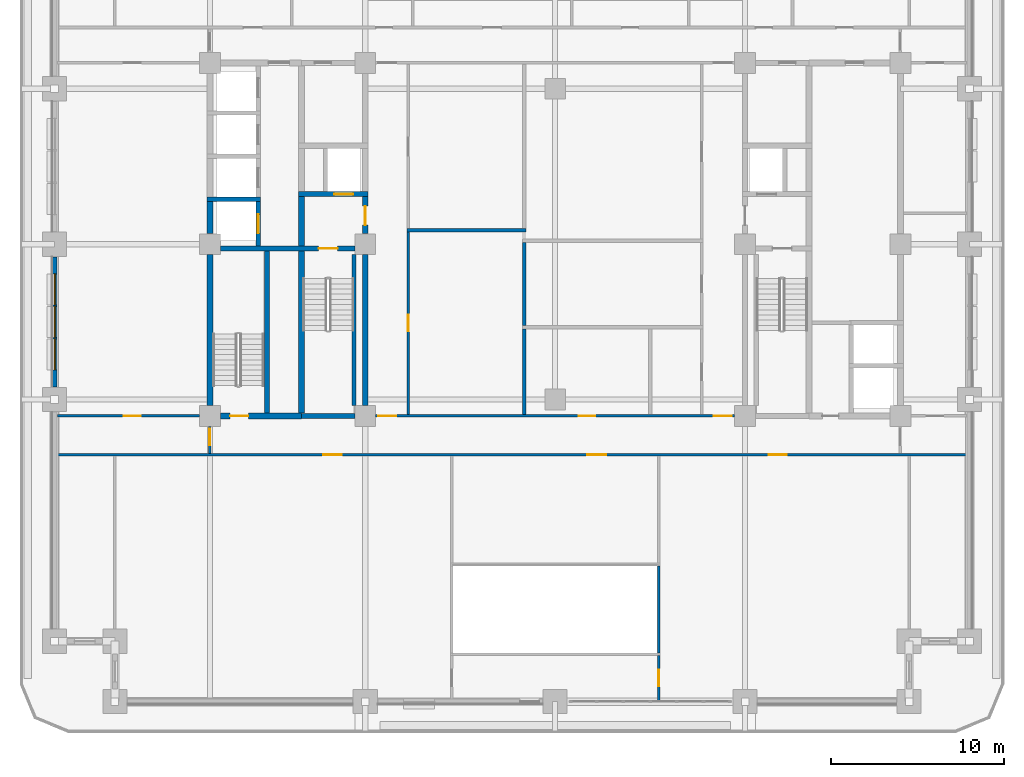
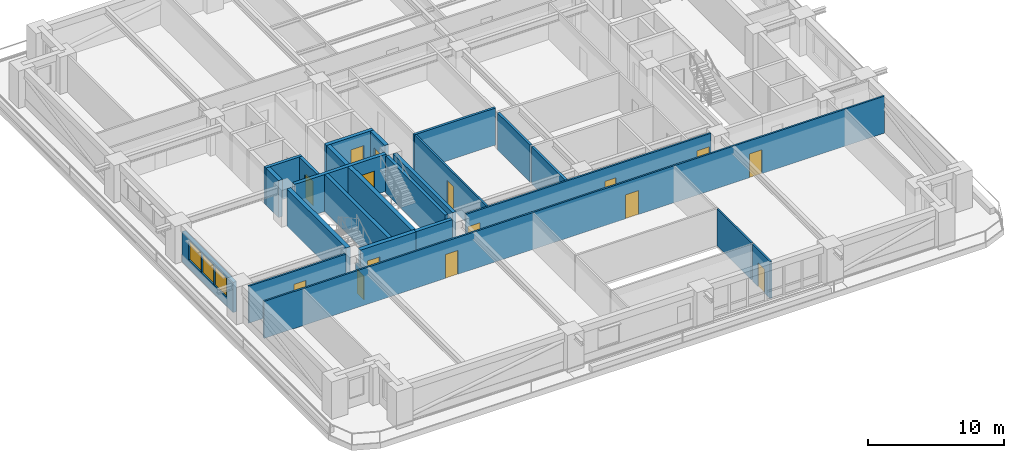
# One storey, part 8 of 20: 25 walls, 15 doors, 3 windows, 18 openings.
"""IFC4 building model written with IfcOpenShell, lengths in metres."""

from ifc_helpers import new_model, si_unit, direction, frame, frame_2d, origin, place, context, subcontext, project, spatial, rectangle, extrude, material, layer, layer_set, type_object, element, fill, save


model = new_model("IFC4")

# Units and contexts
model_context = context("Model", 3, precision=1e-05, world=origin(), true_north=direction((0.0, 1.0)))
body_context = subcontext(model_context, "Body", "Model", "MODEL_VIEW")
ifc_project = project(units=[si_unit("LENGTHUNIT", "METRE"), si_unit("AREAUNIT", "SQUARE_METRE"), si_unit("VOLUMEUNIT", "CUBIC_METRE"), si_unit("PLANEANGLEUNIT", "RADIAN"), si_unit("MASSUNIT", "GRAM", prefix="KILO")], contexts=[model_context])

# Site, building, storey
site_placement = place(None, origin())
site = spatial("IfcSite", under=ifc_project, at=site_placement, CompositionType="ELEMENT")
building_placement = place(site_placement, origin())
building = spatial("IfcBuilding", under=site, at=building_placement, Name="Zulmaris Gate Convention Tower", CompositionType="ELEMENT")
storey_placement = place(building_placement, frame((0.0, 0.0, 75.0400390625)))
storey = spatial("IfcBuildingStorey", under=building, at=storey_placement, Name="L18", CompositionType="ELEMENT", Elevation=75.0400390625)

# Wall
ifc_material_1 = material(Name="Concrete C50/60", Category="concrete")
ifc_layer_1 = layer(ifc_material_1, 0.25, Name="Concrete C50/60")
ifc_layer_set_1 = layer_set([ifc_layer_1], Name="Concrete C50/60")
wall_type_1 = type_object("IfcWallType", Name="CORE-250", PredefinedType="SOLIDWALL", material=ifc_layer_set_1)
wall_1_placement = place(storey_placement, frame((-20.175048828125, 2.60009765625, 0.0), z_axis=(0.0, 0.0, 1.0), x_axis=(1.0, 0.0, 0.0)))
element("IfcWall", 1, at=wall_1_placement, inside=storey, type_object=wall_type_1, Name="WL-L18-009", PredefinedType="SOLIDWALL", context=body_context, shape_type="SweptSolid", body=[
    extrude(rectangle(XDim=3.10009765625, YDim=0.25, at=frame_2d((1.550048828125, 0.0))), origin(), (0.0, 0.0, 1.0), 3.31982421875),
])

# Wall, opening, door
wall_2_placement = place(storey_placement, frame((-17.199951171875, -0.097900390625, 0.0), z_axis=(0.0, 0.0, 1.0), x_axis=(0.0, 1.0, 0.0)))
wall_2 = element("IfcWall", 2, at=wall_2_placement, inside=storey, type_object=wall_type_1, Name="WL-L18-040", PredefinedType="SOLIDWALL", context=body_context, shape_type="SweptSolid", body=[
    extrude(rectangle(XDim=2.57080078125, YDim=0.25, at=frame_2d((1.285400390625, 0.0))), origin(), (0.0, 0.0, 1.0), 3.31982421875),
])
opening_1_placement = place(wall_2_placement, frame((0.722900390625, 0.0, 0.0)))
opening_1 = element("IfcOpeningElement", 3, at=opening_1_placement, cuts=wall_2, Name="Opening D-06", PredefinedType="OPENING", context=body_context, shape_type="SweptSolid", body=[
    extrude(rectangle(XDim=1.10009765625, YDim=2.199951171875, at=frame_2d((0.550048828125, 1.10009765625))), frame((0.0, 0.135009765625, 0.0), z_axis=(0.0, -1.0, 0.0), x_axis=(1.0, 0.0, 0.0)), (0.0, 0.0, 1.0), 0.27001953125),
])
ifc_material_2 = material(Name="Brushed Stainless Steel", Category="steel")
door_type_1 = type_object("IfcDoorType", Name="LD-1100", OperationType="NOTDEFINED", PredefinedType="DOOR", material=ifc_material_2)
door_1_placement = place(opening_1_placement, origin())
door_1 = element("IfcDoor", 4, at=door_1_placement, inside=storey, type_object=door_type_1, Name="L18 Lift Landing Door LP-01 11", OperationType="SLIDING_TO_LEFT", OverallHeight=2.199951171875, OverallWidth=1.10009765625, PredefinedType="DOOR", context=body_context, shape_type="SweptSolid", body=[
    extrude(rectangle(XDim=1.10009765625, YDim=2.199951171875, at=frame_2d((0.550048828125, 1.10009765625))), frame((0.0, 0.02490234375, 0.0), z_axis=(0.0, -1.0, 0.0), x_axis=(1.0, 0.0, 0.0)), (0.0, 0.0, 1.0), 0.050048828125),
])
fill(opening_1, door_1)

# Walls
wall_3_placement = place(storey_placement, frame((-11.64990234375, -9.345947265625, 0.0), z_axis=(0.0, 0.0, 1.0), x_axis=(0.0, 1.0, 0.0)))
element("IfcWall", 5, at=wall_3_placement, inside=storey, type_object=wall_type_1, Name="WL-L18-050", PredefinedType="SOLIDWALL", context=body_context, shape_type="SweptSolid", body=[
    extrude(rectangle(XDim=8.741943359375, YDim=0.25, at=frame_2d((4.37109375, 0.0))), origin(), (0.0, 0.0, 1.0), 3.31982421875),
])
ifc_layer_2 = layer(ifc_material_1, 0.300048828125, Name="Concrete C50/60")
ifc_layer_set_2 = layer_set([ifc_layer_2], Name="Concrete C50/60")
wall_type_2 = type_object("IfcWallType", Name="CORE-300", PredefinedType="SHEAR", material=ifc_layer_set_2)
wall_4_placement = place(storey_placement, frame((-14.699951171875, -9.949951171875, 0.0), z_axis=(0.0, 0.0, 1.0), x_axis=(1.0, 0.0, 0.0)))
element("IfcWall", 6, at=wall_4_placement, inside=storey, type_object=wall_type_2, Name="WL-L18-002", PredefinedType="SHEAR", context=body_context, shape_type="SweptSolid", body=[
    extrude(rectangle(XDim=3.095947265625, YDim=0.300048828125, at=frame_2d((1.5478515625, 0.0))), origin(), (0.0, 0.0, 1.0), 3.31982421875),
])

# Wall, opening, door
wall_5_placement = place(storey_placement, frame((-19.39599609375, -0.25, 0.0), z_axis=(0.0, 0.0, 1.0), x_axis=(1.0, 0.0, 0.0)))
wall_5 = element("IfcWall", 7, at=wall_5_placement, inside=storey, type_object=wall_type_2, Name="WL-L18-007", PredefinedType="SHEAR", context=body_context, shape_type="SweptSolid", body=[
    extrude(rectangle(XDim=7.7919921875, YDim=0.300048828125, at=frame_2d((3.89599609375, 0.0))), origin(), (0.0, 0.0, 1.0), 3.31982421875),
])
opening_2_placement = place(wall_5_placement, frame((5.696044921875, 0.0, 0.0)))
opening_2 = element("IfcOpeningElement", 8, at=opening_2_placement, cuts=wall_5, Name="Opening D-08", PredefinedType="OPENING", context=body_context, shape_type="SweptSolid", body=[
    extrude(rectangle(XDim=1.10009765625, YDim=2.14990234375, at=frame_2d((0.550048828125, 1.074951171875))), frame((0.0, 0.16015625, 0.0), z_axis=(0.0, -1.0, 0.0), x_axis=(1.0, 0.0, 0.0)), (0.0, 0.0, 1.0), 0.320068359375),
])
ifc_material_3 = material(Name="Fire-Rated Steel", Category="steel")
door_type_2 = type_object("IfcDoorType", Name="DR-1100-FD", OperationType="NOTDEFINED", PredefinedType="DOOR", material=ifc_material_3)
door_2_placement = place(opening_2_placement, origin())
door_2 = element("IfcDoor", 9, at=door_2_placement, inside=storey, type_object=door_type_2, Name="L18 Exit Stair ST-1 Door 01", OperationType="SINGLE_SWING_LEFT", OverallHeight=2.14990234375, OverallWidth=1.10009765625, PredefinedType="DOOR", context=body_context, shape_type="SweptSolid", body=[
    extrude(rectangle(XDim=1.10009765625, YDim=2.14990234375, at=frame_2d((0.550048828125, 1.074951171875))), frame((0.0, 0.02490234375, 0.0), z_axis=(0.0, -1.0, 0.0), x_axis=(1.0, 0.0, 0.0)), (0.0, 0.0, 1.0), 0.050048828125),
])
fill(opening_2, door_2)

wall_6_placement = place(storey_placement, frame((-14.875, 2.89990234375, 0.0), z_axis=(0.0, 0.0, 1.0), x_axis=(1.0, 0.0, 0.0)))
wall_6 = element("IfcWall", 10, at=wall_6_placement, inside=storey, type_object=wall_type_2, Name="WL-L18-010", PredefinedType="SHEAR", context=body_context, shape_type="SweptSolid", body=[
    extrude(rectangle(XDim=4.02490234375, YDim=0.300048828125, at=frame_2d((2.012451171875, 0.0))), origin(), (0.0, 0.0, 1.0), 3.31982421875),
])
opening_3_placement = place(wall_6_placement, frame((2.074951171875, 0.0, 0.0)))
opening_3 = element("IfcOpeningElement", 11, at=opening_3_placement, cuts=wall_6, Name="Opening D-06", PredefinedType="OPENING", context=body_context, shape_type="SweptSolid", body=[
    extrude(rectangle(XDim=1.10009765625, YDim=2.199951171875, at=frame_2d((0.550048828125, 1.10009765625))), frame((0.0, 0.16015625, 0.0), z_axis=(0.0, -1.0, 0.0), x_axis=(1.0, 0.0, 0.0)), (0.0, 0.0, 1.0), 0.320068359375),
])
door_3_placement = place(opening_3_placement, origin())
door_3 = element("IfcDoor", 12, at=door_3_placement, inside=storey, type_object=door_type_1, Name="L18 Lift Landing Door LF-01 03", OperationType="SLIDING_TO_LEFT", OverallHeight=2.199951171875, OverallWidth=1.10009765625, PredefinedType="DOOR", context=body_context, shape_type="SweptSolid", body=[
    extrude(rectangle(XDim=1.10009765625, YDim=2.199951171875, at=frame_2d((0.550048828125, 1.10009765625))), frame((0.0, 0.02490234375, 0.0), z_axis=(0.0, -1.0, 0.0), x_axis=(1.0, 0.0, 0.0)), (0.0, 0.0, 1.0), 0.050048828125),
])
fill(opening_3, door_3)

# Walls
wall_7_placement = place(storey_placement, frame((-16.699951171875, -9.77294921875, 0.0), z_axis=(0.0, 0.0, 1.0), x_axis=(0.0, 1.0, 0.0)))
element("IfcWall", 13, at=wall_7_placement, inside=storey, type_object=wall_type_2, Name="WL-L18-044", PredefinedType="SHEAR", context=body_context, shape_type="SweptSolid", body=[
    extrude(rectangle(XDim=9.370849609375, YDim=0.300048828125, at=frame_2d((4.685546875, 0.0))), origin(), (0.0, 0.0, 1.0), 3.31982421875),
])
wall_8_placement = place(storey_placement, frame((-11.0, -9.345947265625, 0.0), z_axis=(0.0, 0.0, 1.0), x_axis=(0.0, 1.0, 0.0)))
element("IfcWall", 14, at=wall_8_placement, inside=storey, type_object=wall_type_2, Name="WL-L18-051", PredefinedType="SHEAR", context=body_context, shape_type="SweptSolid", body=[
    extrude(rectangle(XDim=8.741943359375, YDim=0.300048828125, at=frame_2d((4.37109375, 0.0))), origin(), (0.0, 0.0, 1.0), 3.31982421875),
])

# Wall, opening, door
wall_9_placement = place(storey_placement, frame((-11.0, 0.60400390625, 0.0), z_axis=(0.0, 0.0, 1.0), x_axis=(0.0, 1.0, 0.0)))
wall_9 = element("IfcWall", 15, at=wall_9_placement, inside=storey, type_object=wall_type_2, Name="WL-L18-052", PredefinedType="SHEAR", context=body_context, shape_type="SweptSolid", body=[
    extrude(rectangle(XDim=2.14404296875, YDim=0.300048828125, at=frame_2d((1.072021484375, 0.0))), origin(), (0.0, 0.0, 1.0), 3.31982421875),
])
opening_4_placement = place(wall_9_placement, frame((0.49609375, 0.0, 0.0)))
opening_4 = element("IfcOpeningElement", 16, at=opening_4_placement, cuts=wall_9, Name="Opening D-08", PredefinedType="OPENING", context=body_context, shape_type="SweptSolid", body=[
    extrude(rectangle(XDim=1.10009765625, YDim=2.14990234375, at=frame_2d((0.550048828125, 1.074951171875))), frame((0.0, 0.16015625, 0.0), z_axis=(0.0, -1.0, 0.0), x_axis=(1.0, 0.0, 0.0)), (0.0, 0.0, 1.0), 0.320068359375),
])
door_4_placement = place(opening_4_placement, origin())
door_4 = element("IfcDoor", 17, at=door_4_placement, inside=storey, type_object=door_type_2, Name="L18 West Firefighting Lobby Door 02", OperationType="SINGLE_SWING_RIGHT", OverallHeight=2.14990234375, OverallWidth=1.10009765625, PredefinedType="DOOR", context=body_context, shape_type="SweptSolid", body=[
    extrude(rectangle(XDim=1.10009765625, YDim=2.14990234375, at=frame_2d((0.550048828125, 1.074951171875))), frame((0.0, 0.02490234375, 0.0), z_axis=(0.0, -1.0, 0.0), x_axis=(1.0, 0.0, 0.0)), (0.0, 0.0, 1.0), 0.050048828125),
])
fill(opening_4, door_4)

ifc_material_4 = material(Name="Concrete C55/67", Category="concrete")
ifc_layer_3 = layer(ifc_material_4, 0.35009765625, Name="Concrete C55/67")
ifc_layer_set_3 = layer_set([ifc_layer_3], Name="Concrete C55/67")
wall_type_3 = type_object("IfcWallType", Name="CORE-350", PredefinedType="SHEAR", material=ifc_layer_set_3)
wall_10_placement = place(storey_placement, frame((-19.39599609375, -9.949951171875, 0.0), z_axis=(0.0, 0.0, 1.0), x_axis=(1.0, 0.0, 0.0)))
wall_10 = element("IfcWall", 18, at=wall_10_placement, inside=storey, type_object=wall_type_3, Name="WL-L18-001", PredefinedType="SHEAR", context=body_context, shape_type="SweptSolid", body=[
    extrude(rectangle(XDim=4.696044921875, YDim=0.35009765625, at=frame_2d((2.34814453125, 0.0))), origin(), (0.0, 0.0, 1.0), 3.31982421875),
])
opening_5_placement = place(wall_10_placement, frame((0.571044921875, 0.0, 0.0)))
opening_5 = element("IfcOpeningElement", 19, at=opening_5_placement, cuts=wall_10, Name="Opening D-09", PredefinedType="OPENING", context=body_context, shape_type="SweptSolid", body=[
    extrude(rectangle(XDim=1.050048828125, YDim=2.14990234375, at=frame_2d((0.52490234375, 1.074951171875))), frame((0.0, 0.18505859375, 0.0), z_axis=(0.0, -1.0, 0.0), x_axis=(1.0, 0.0, 0.0)), (0.0, 0.0, 1.0), 0.3701171875),
])
door_type_3 = type_object("IfcDoorType", Name="DR-1050-FD", OperationType="NOTDEFINED", PredefinedType="DOOR", material=ifc_material_3)
door_5_placement = place(opening_5_placement, origin())
door_5 = element("IfcDoor", 20, at=door_5_placement, inside=storey, type_object=door_type_3, Name="L18 Exit Stair ST-3 Door 09", OperationType="SINGLE_SWING_LEFT", OverallHeight=2.14990234375, OverallWidth=1.050048828125, PredefinedType="DOOR", context=body_context, shape_type="SweptSolid", body=[
    extrude(rectangle(XDim=1.050048828125, YDim=2.14990234375, at=frame_2d((0.52490234375, 1.074951171875))), frame((0.0, 0.02490234375, 0.0), z_axis=(0.0, -1.0, 0.0), x_axis=(1.0, 0.0, 0.0)), (0.0, 0.0, 1.0), 0.050048828125),
])
fill(opening_5, door_5)

# Walls
wall_11_placement = place(storey_placement, frame((-20.0, -9.345947265625, 0.0), z_axis=(0.0, 0.0, 1.0), x_axis=(0.0, 1.0, 0.0)))
element("IfcWall", 21, at=wall_11_placement, inside=storey, type_object=wall_type_3, Name="WL-L18-035", PredefinedType="SHEAR", context=body_context, shape_type="SweptSolid", body=[
    extrude(rectangle(XDim=8.741943359375, YDim=0.35009765625, at=frame_2d((4.37109375, 0.0))), origin(), (0.0, 0.0, 1.0), 3.31982421875),
])
wall_12_placement = place(storey_placement, frame((-20.0, 0.60400390625, 0.0), z_axis=(0.0, 0.0, 1.0), x_axis=(0.0, 1.0, 0.0)))
element("IfcWall", 22, at=wall_12_placement, inside=storey, type_object=wall_type_3, Name="WL-L18-036", PredefinedType="SHEAR", context=body_context, shape_type="SweptSolid", body=[
    extrude(rectangle(XDim=1.868896484375, YDim=0.35009765625, at=frame_2d((0.9345703125, 0.0))), origin(), (0.0, 0.0, 1.0), 3.31982421875),
])
wall_13_placement = place(storey_placement, frame((-14.699951171875, -9.77294921875, 0.0), z_axis=(0.0, 0.0, 1.0), x_axis=(0.0, 1.0, 0.0)))
element("IfcWall", 23, at=wall_13_placement, inside=storey, type_object=wall_type_3, Name="WL-L18-045", PredefinedType="SHEAR", context=body_context, shape_type="SweptSolid", body=[
    extrude(rectangle(XDim=9.370849609375, YDim=0.35009765625, at=frame_2d((4.685546875, 0.0))), origin(), (0.0, 0.0, 1.0), 3.31982421875),
])
wall_14_placement = place(storey_placement, frame((-14.699951171875, -0.097900390625, 0.0), z_axis=(0.0, 0.0, 1.0), x_axis=(0.0, 1.0, 0.0)))
element("IfcWall", 24, at=wall_14_placement, inside=storey, type_object=wall_type_3, Name="WL-L18-046", PredefinedType="SHEAR", context=body_context, shape_type="SweptSolid", body=[
    extrude(rectangle(XDim=2.845947265625, YDim=0.35009765625, at=frame_2d((1.4228515625, 0.0))), origin(), (0.0, 0.0, 1.0), 3.31982421875),
])

# Wall, openings, doors
ifc_material_5 = material(Name="Gypsum Metal Stud Partition")
ifc_layer_4 = layer(ifc_material_5, 0.14990234375, Name="Gypsum Metal Stud Partition")
ifc_layer_set_4 = layer_set([ifc_layer_4], Name="Gypsum Metal Stud Partition")
wall_type_4 = type_object("IfcWallType", Name="PART-150", PredefinedType="PARTITIONING", material=ifc_layer_set_4)
wall_15_placement = place(storey_placement, frame((-28.8349609375, -12.199951171875, 0.0), z_axis=(0.0, 0.0, 1.0), x_axis=(1.0, 0.0, 0.0)))
wall_15 = element("IfcWall", 25, at=wall_15_placement, inside=storey, type_object=wall_type_4, Name="WL-L18-022", PredefinedType="PARTITIONING", context=body_context, shape_type="SweptSolid", body=[
    extrude(rectangle(XDim=52.669921875, YDim=0.14990234375, at=frame_2d((26.3349609375, 0.0))), origin(), (0.0, 0.0, 1.0), 3.31982421875),
])
opening_6_placement = place(wall_15_placement, frame((30.68505859375, 0.0, 0.0)))
opening_6 = element("IfcOpeningElement", 26, at=opening_6_placement, cuts=wall_15, Name="Opening D-08", PredefinedType="OPENING", context=body_context, shape_type="SweptSolid", body=[
    extrude(rectangle(XDim=1.10009765625, YDim=2.14990234375, at=frame_2d((0.550048828125, 1.074951171875))), frame((0.0, 0.0849609375, 0.0), z_axis=(0.0, -1.0, 0.0), x_axis=(1.0, 0.0, 0.0)), (0.0, 0.0, 1.0), 0.169921875),
])
opening_7_placement = place(wall_15_placement, frame((15.409912109375, 0.0, 0.0)))
opening_7 = element("IfcOpeningElement", 27, at=opening_7_placement, cuts=wall_15, Name="Opening D-09", PredefinedType="OPENING", context=body_context, shape_type="SweptSolid", body=[
    extrude(rectangle(XDim=1.050048828125, YDim=2.14990234375, at=frame_2d((0.52490234375, 1.074951171875))), frame((0.0, 0.0849609375, 0.0), z_axis=(0.0, -1.0, 0.0), x_axis=(1.0, 0.0, 0.0)), (0.0, 0.0, 1.0), 0.169921875),
])
opening_8_placement = place(wall_15_placement, frame((41.2099609375, 0.0, 0.0)))
opening_8 = element("IfcOpeningElement", 28, at=opening_8_placement, cuts=wall_15, Name="Opening D-09", PredefinedType="OPENING", context=body_context, shape_type="SweptSolid", body=[
    extrude(rectangle(XDim=1.050048828125, YDim=2.14990234375, at=frame_2d((0.52490234375, 1.074951171875))), frame((0.0, 0.0849609375, 0.0), z_axis=(0.0, -1.0, 0.0), x_axis=(1.0, 0.0, 0.0)), (0.0, 0.0, 1.0), 0.169921875),
])
door_6_placement = place(opening_7_placement, origin())
door_6 = element("IfcDoor", 29, at=door_6_placement, inside=storey, type_object=door_type_3, Name="L18 Corner Boardroom SW Door 30", OperationType="SINGLE_SWING_RIGHT", OverallHeight=2.14990234375, OverallWidth=1.050048828125, PredefinedType="DOOR", context=body_context, shape_type="SweptSolid", body=[
    extrude(rectangle(XDim=1.050048828125, YDim=2.14990234375, at=frame_2d((0.52490234375, 1.074951171875))), frame((0.0, 0.02490234375, 0.0), z_axis=(0.0, -1.0, 0.0), x_axis=(1.0, 0.0, 0.0)), (0.0, 0.0, 1.0), 0.050048828125),
])
fill(opening_7, door_6)
door_7_placement = place(opening_8_placement, origin())
door_7 = element("IfcDoor", 30, at=door_7_placement, inside=storey, type_object=door_type_3, Name="L18 Corner Boardroom SE Door 31", OperationType="SINGLE_SWING_LEFT", OverallHeight=2.14990234375, OverallWidth=1.050048828125, PredefinedType="DOOR", context=body_context, shape_type="SweptSolid", body=[
    extrude(rectangle(XDim=1.050048828125, YDim=2.14990234375, at=frame_2d((0.52490234375, 1.074951171875))), frame((0.0, 0.02490234375, 0.0), z_axis=(0.0, -1.0, 0.0), x_axis=(1.0, 0.0, 0.0)), (0.0, 0.0, 1.0), 0.050048828125),
])
fill(opening_8, door_7)
door_8_placement = place(opening_6_placement, origin())
door_8 = element("IfcDoor", 31, at=door_8_placement, inside=storey, type_object=door_type_2, Name="L18 Mezzanine Gallery Door 29", OperationType="SINGLE_SWING_LEFT", OverallHeight=2.14990234375, OverallWidth=1.10009765625, PredefinedType="DOOR", context=body_context, shape_type="SweptSolid", body=[
    extrude(rectangle(XDim=1.10009765625, YDim=2.14990234375, at=frame_2d((0.550048828125, 1.074951171875))), frame((0.0, 0.02490234375, 0.0), z_axis=(0.0, -1.0, 0.0), x_axis=(1.0, 0.0, 0.0)), (0.0, 0.0, 1.0), 0.050048828125),
])
fill(opening_6, door_8)

# Wall, opening, door
wall_16_placement = place(storey_placement, frame((-28.8349609375, -9.949951171875, 0.0), z_axis=(0.0, 0.0, 1.0), x_axis=(1.0, 0.0, 0.0)))
wall_16 = element("IfcWall", 32, at=wall_16_placement, inside=storey, type_object=wall_type_4, Name="WL-L18-023", PredefinedType="PARTITIONING", context=body_context, shape_type="SweptSolid", body=[
    extrude(rectangle(XDim=8.22900390625, YDim=0.14990234375, at=frame_2d((4.114501953125, 0.0))), origin(), (0.0, 0.0, 1.0), 3.31982421875),
])
opening_9_placement = place(wall_16_placement, frame((3.8349609375, 0.0, 0.0)))
opening_9 = element("IfcOpeningElement", 33, at=opening_9_placement, cuts=wall_16, Name="Opening D-10", PredefinedType="OPENING", context=body_context, shape_type="SweptSolid", body=[
    extrude(rectangle(XDim=1.0, YDim=2.14990234375, at=frame_2d((0.5, 1.074951171875))), frame((0.0, 0.0849609375, 0.0), z_axis=(0.0, -1.0, 0.0), x_axis=(1.0, 0.0, 0.0)), (0.0, 0.0, 1.0), 0.169921875),
])
ifc_material_6 = material(Name="Fire-Rated Timber", Category="wood")
door_type_4 = type_object("IfcDoorType", Name="DR-1000-FD", OperationType="NOTDEFINED", PredefinedType="DOOR", material=ifc_material_6)
door_9_placement = place(opening_9_placement, origin())
door_9 = element("IfcDoor", 34, at=door_9_placement, inside=storey, type_object=door_type_4, Name="L18 West Workplace South Door 41", OperationType="SINGLE_SWING_LEFT", OverallHeight=2.14990234375, OverallWidth=1.0, PredefinedType="DOOR", context=body_context, shape_type="SweptSolid", body=[
    extrude(rectangle(XDim=1.0, YDim=2.14990234375, at=frame_2d((0.5, 1.074951171875))), frame((0.0, 0.02490234375, 0.0), z_axis=(0.0, -1.0, 0.0), x_axis=(1.0, 0.0, 0.0)), (0.0, 0.0, 1.0), 0.050048828125),
])
fill(opening_9, door_9)

# Wall, openings, doors
wall_17_placement = place(storey_placement, frame((-10.39404296875, -9.949951171875, 0.0), z_axis=(0.0, 0.0, 1.0), x_axis=(1.0, 0.0, 0.0)))
wall_17 = element("IfcWall", 35, at=wall_17_placement, inside=storey, type_object=wall_type_4, Name="WL-L18-024", PredefinedType="PARTITIONING", context=body_context, shape_type="SweptSolid", body=[
    extrude(rectangle(XDim=20.7880859375, YDim=0.14990234375, at=frame_2d((10.39404296875, 0.0))), origin(), (0.0, 0.0, 1.0), 3.31982421875),
])
opening_10_placement = place(wall_17_placement, frame((0.14990234375, 0.0, 0.0)))
opening_10 = element("IfcOpeningElement", 36, at=opening_10_placement, cuts=wall_17, Name="Opening D-09", PredefinedType="OPENING", context=body_context, shape_type="SweptSolid", body=[
    extrude(rectangle(XDim=1.050048828125, YDim=2.14990234375, at=frame_2d((0.52490234375, 1.074951171875))), frame((0.0, 0.0849609375, 0.0), z_axis=(0.0, -1.0, 0.0), x_axis=(1.0, 0.0, 0.0)), (0.0, 0.0, 1.0), 0.169921875),
])
opening_11_placement = place(wall_17_placement, frame((19.587890625, 0.0, 0.0)))
opening_11 = element("IfcOpeningElement", 37, at=opening_11_placement, cuts=wall_17, Name="Opening D-09", PredefinedType="OPENING", context=body_context, shape_type="SweptSolid", body=[
    extrude(rectangle(XDim=1.050048828125, YDim=2.14990234375, at=frame_2d((0.52490234375, 1.074951171875))), frame((0.0, 0.0849609375, 0.0), z_axis=(0.0, -1.0, 0.0), x_axis=(1.0, 0.0, 0.0)), (0.0, 0.0, 1.0), 0.169921875),
])
opening_12_placement = place(wall_17_placement, frame((11.76904296875, 0.0, 0.0)))
opening_12 = element("IfcOpeningElement", 38, at=opening_12_placement, cuts=wall_17, Name="Opening D-11", PredefinedType="OPENING", context=body_context, shape_type="SweptSolid", body=[
    extrude(rectangle(XDim=0.949951171875, YDim=2.14990234375, at=frame_2d((0.47509765625, 1.074951171875))), frame((0.0, 0.0849609375, 0.0), z_axis=(0.0, -1.0, 0.0), x_axis=(1.0, 0.0, 0.0)), (0.0, 0.0, 1.0), 0.169921875),
])
door_10_placement = place(opening_10_placement, origin())
door_10 = element("IfcDoor", 39, at=door_10_placement, inside=storey, type_object=door_type_3, Name="L18 SW Spine Link Door 18", OperationType="SINGLE_SWING_RIGHT", OverallHeight=2.14990234375, OverallWidth=1.050048828125, PredefinedType="DOOR", context=body_context, shape_type="SweptSolid", body=[
    extrude(rectangle(XDim=1.050048828125, YDim=2.14990234375, at=frame_2d((0.52490234375, 1.074951171875))), frame((0.0, 0.02490234375, 0.0), z_axis=(0.0, -1.0, 0.0), x_axis=(1.0, 0.0, 0.0)), (0.0, 0.0, 1.0), 0.050048828125),
])
fill(opening_10, door_10)
door_11_placement = place(opening_11_placement, origin())
door_11 = element("IfcDoor", 40, at=door_11_placement, inside=storey, type_object=door_type_3, Name="L18 SE Spine Link Door 20", OperationType="SINGLE_SWING_RIGHT", OverallHeight=2.14990234375, OverallWidth=1.050048828125, PredefinedType="DOOR", context=body_context, shape_type="SweptSolid", body=[
    extrude(rectangle(XDim=1.050048828125, YDim=2.14990234375, at=frame_2d((0.52490234375, 1.074951171875))), frame((0.0, 0.02490234375, 0.0), z_axis=(0.0, -1.0, 0.0), x_axis=(1.0, 0.0, 0.0)), (0.0, 0.0, 1.0), 0.050048828125),
])
fill(opening_11, door_11)
door_type_5 = type_object("IfcDoorType", Name="DR-950-FD", OperationType="NOTDEFINED", PredefinedType="DOOR", material=ifc_material_6)
door_12_placement = place(opening_12_placement, origin())
door_12 = element("IfcDoor", 41, at=door_12_placement, inside=storey, type_object=door_type_5, Name="L18 Print Room Door 37", OperationType="SINGLE_SWING_LEFT", OverallHeight=2.14990234375, OverallWidth=0.949951171875, PredefinedType="DOOR", context=body_context, shape_type="SweptSolid", body=[
    extrude(rectangle(XDim=0.949951171875, YDim=2.14990234375, at=frame_2d((0.47509765625, 1.074951171875))), frame((0.0, 0.02490234375, 0.0), z_axis=(0.0, -1.0, 0.0), x_axis=(1.0, 0.0, 0.0)), (0.0, 0.0, 1.0), 0.050048828125),
])
fill(opening_12, door_12)

# Wall, opening, door
wall_18_placement = place(storey_placement, frame((-20.0, -12.1220703125, 0.0), z_axis=(0.0, 0.0, 1.0), x_axis=(0.0, 1.0, 0.0)))
wall_18 = element("IfcWall", 42, at=wall_18_placement, inside=storey, type_object=wall_type_4, Name="WL-L18-072", PredefinedType="PARTITIONING", context=body_context, shape_type="SweptSolid", body=[
    extrude(rectangle(XDim=1.566162109375, YDim=0.14990234375, at=frame_2d((0.783203125, 0.0))), origin(), (0.0, 0.0, 1.0), 2.659912109375),
])
opening_13_placement = place(wall_18_placement, frame((0.466064453125, 0.0, 0.0)))
opening_13 = element("IfcOpeningElement", 43, at=opening_13_placement, cuts=wall_18, Name="Opening D-11", PredefinedType="OPENING", context=body_context, shape_type="SweptSolid", body=[
    extrude(rectangle(XDim=0.949951171875, YDim=2.14990234375, at=frame_2d((0.47509765625, 1.074951171875))), frame((0.0, 0.0849609375, 0.0), z_axis=(0.0, -1.0, 0.0), x_axis=(1.0, 0.0, 0.0)), (0.0, 0.0, 1.0), 0.169921875),
])
door_13_placement = place(opening_13_placement, origin())
door_13 = element("IfcDoor", 44, at=door_13_placement, inside=storey, type_object=door_type_5, Name="L18 SW Spur Door 39", OperationType="SINGLE_SWING_LEFT", OverallHeight=2.14990234375, OverallWidth=0.949951171875, PredefinedType="DOOR", context=body_context, shape_type="SweptSolid", body=[
    extrude(rectangle(XDim=0.949951171875, YDim=2.14990234375, at=frame_2d((0.47509765625, 1.074951171875))), frame((0.0, 0.02490234375, 0.0), z_axis=(0.0, -1.0, 0.0), x_axis=(1.0, 0.0, 0.0)), (0.0, 0.0, 1.0), 0.050048828125),
])
fill(opening_13, door_13)

wall_19_placement = place(storey_placement, frame((-8.5, -9.8720703125, 0.0), z_axis=(0.0, 0.0, 1.0), x_axis=(0.0, 1.0, 0.0)))
wall_19 = element("IfcWall", 45, at=wall_19_placement, inside=storey, type_object=wall_type_4, Name="WL-L18-075", PredefinedType="PARTITIONING", context=body_context, shape_type="SweptSolid", body=[
    extrude(rectangle(XDim=10.569091796875, YDim=0.14990234375, at=frame_2d((5.28466796875, 0.0))), origin(), (0.0, 0.0, 1.0), 3.31982421875),
])
opening_14_placement = place(wall_19_placement, frame((4.826904296875, 0.0, 0.0)))
opening_14 = element("IfcOpeningElement", 46, at=opening_14_placement, cuts=wall_19, Name="Opening D-11", PredefinedType="OPENING", context=body_context, shape_type="SweptSolid", body=[
    extrude(rectangle(XDim=0.949951171875, YDim=2.14990234375, at=frame_2d((0.47509765625, 1.074951171875))), frame((0.0, 0.0849609375, 0.0), z_axis=(0.0, -1.0, 0.0), x_axis=(1.0, 0.0, 0.0)), (0.0, 0.0, 1.0), 0.169921875),
])
door_14_placement = place(opening_14_placement, origin())
door_14 = element("IfcDoor", 47, at=door_14_placement, inside=storey, type_object=door_type_5, Name="L18 Wellness Pantry Door 33", OperationType="SINGLE_SWING_LEFT", OverallHeight=2.14990234375, OverallWidth=0.949951171875, PredefinedType="DOOR", context=body_context, shape_type="SweptSolid", body=[
    extrude(rectangle(XDim=0.949951171875, YDim=2.14990234375, at=frame_2d((0.47509765625, 1.074951171875))), frame((0.0, 0.02490234375, 0.0), z_axis=(0.0, -1.0, 0.0), x_axis=(1.0, 0.0, 0.0)), (0.0, 0.0, 1.0), 0.050048828125),
])
fill(opening_14, door_14)

wall_20_placement = place(storey_placement, frame((6.0, -26.43994140625, 0.0), z_axis=(0.0, 0.0, 1.0), x_axis=(0.0, 1.0, 0.0)))
wall_20 = element("IfcWall", 48, at=wall_20_placement, inside=storey, type_object=wall_type_4, Name="WL-L18-087", PredefinedType="PARTITIONING", context=body_context, shape_type="SweptSolid", body=[
    extrude(rectangle(XDim=2.612060546875, YDim=0.14990234375, at=frame_2d((1.30615234375, 0.0))), origin(), (0.0, 0.0, 1.0), 3.31982421875),
])
opening_15_placement = place(wall_20_placement, frame((0.844970703125, 0.0, 0.0)))
opening_15 = element("IfcOpeningElement", 49, at=opening_15_placement, cuts=wall_20, Name="Opening D-16", PredefinedType="OPENING", context=body_context, shape_type="SweptSolid", body=[
    extrude(rectangle(XDim=0.949951171875, YDim=2.14990234375, at=frame_2d((0.47509765625, 1.074951171875))), frame((0.0, 0.0849609375, 0.0), z_axis=(0.0, -1.0, 0.0), x_axis=(1.0, 0.0, 0.0)), (0.0, 0.0, 1.0), 0.169921875),
])
ifc_material_7 = material(Name="Veneered Hardwood Timber", Category="wood")
door_type_6 = type_object("IfcDoorType", Name="DR-950", OperationType="NOTDEFINED", PredefinedType="DOOR", material=ifc_material_7)
door_15_placement = place(opening_15_placement, origin())
door_15 = element("IfcDoor", 50, at=door_15_placement, inside=storey, type_object=door_type_6, Name="L18 Terrace Loggia East Door 28", OperationType="SINGLE_SWING_RIGHT", OverallHeight=2.14990234375, OverallWidth=0.949951171875, PredefinedType="DOOR", context=body_context, shape_type="SweptSolid", body=[
    extrude(rectangle(XDim=0.949951171875, YDim=2.14990234375, at=frame_2d((0.47509765625, 1.074951171875))), frame((0.0, 0.02490234375, 0.0), z_axis=(0.0, -1.0, 0.0), x_axis=(1.0, 0.0, 0.0)), (0.0, 0.0, 1.0), 0.050048828125),
])
fill(opening_15, door_15)

# Walls
wall_21_placement = place(storey_placement, frame((6.0, -23.672119140625, 0.0), z_axis=(0.0, 0.0, 1.0), x_axis=(0.0, 1.0, 0.0)))
element("IfcWall", 51, at=wall_21_placement, inside=storey, type_object=wall_type_4, Name="WL-L18-088", PredefinedType="PARTITIONING", context=body_context, shape_type="SweptSolid", body=[
    extrude(rectangle(XDim=5.044189453125, YDim=0.14990234375, at=frame_2d((2.52197265625, 0.0))), origin(), (0.0, 0.0, 1.0), 3.31982421875),
])
ifc_material_8 = material(Name="Autoclaved Aerated Concrete Block and Plasterboard", Category="concrete")
ifc_layer_5 = layer(ifc_material_8, 0.199951171875, Name="Autoclaved Aerated Concrete Block and Plasterboard")
ifc_layer_set_5 = layer_set([ifc_layer_5], Name="Autoclaved Aerated Concrete Block and Plasterboard")
wall_type_5 = type_object("IfcWallType", Name="PART-200", PredefinedType="PARTITIONING", material=ifc_layer_set_5)
wall_22_placement = place(storey_placement, frame((-8.574951171875, 0.800048828125, 0.0), z_axis=(0.0, 0.0, 1.0), x_axis=(1.0, 0.0, 0.0)))
element("IfcWall", 52, at=wall_22_placement, inside=storey, type_object=wall_type_5, Name="WL-L18-029", PredefinedType="PARTITIONING", context=body_context, shape_type="SweptSolid", body=[
    extrude(rectangle(XDim=6.875, YDim=0.199951171875, at=frame_2d((3.4375, 0.0))), origin(), (0.0, 0.0, 1.0), 3.31982421875),
])
wall_23_placement = place(storey_placement, frame((-1.800048828125, -9.8720703125, 0.0), z_axis=(0.0, 0.0, 1.0), x_axis=(0.0, 1.0, 0.0)))
element("IfcWall", 53, at=wall_23_placement, inside=storey, type_object=wall_type_5, Name="WL-L18-081", PredefinedType="PARTITIONING", context=body_context, shape_type="SweptSolid", body=[
    extrude(rectangle(XDim=4.968994140625, YDim=0.199951171875, at=frame_2d((2.484375, 0.0))), origin(), (0.0, 0.0, 1.0), 3.31982421875),
])
wall_24_placement = place(storey_placement, frame((-1.800048828125, -4.697021484375, 0.0), z_axis=(0.0, 0.0, 1.0), x_axis=(0.0, 1.0, 0.0)))
element("IfcWall", 54, at=wall_24_placement, inside=storey, type_object=wall_type_5, Name="WL-L18-082", PredefinedType="PARTITIONING", context=body_context, shape_type="SweptSolid", body=[
    extrude(rectangle(XDim=4.7939453125, YDim=0.199951171875, at=frame_2d((2.39697265625, 0.0))), origin(), (0.0, 0.0, 1.0), 3.31982421875),
])

# Wall, openings, windows
ifc_material_9 = material(Name="Precast concrete C40/50", Category="concrete")
ifc_layer_6 = layer(ifc_material_9, 0.300048828125, Name="Precast concrete C40/50")
ifc_layer_set_6 = layer_set([ifc_layer_6], Name="Precast concrete C40/50")
wall_type_6 = type_object("IfcWallType", Name="PRECAST-PIER-300", PredefinedType="STANDARD", material=ifc_layer_set_6)
wall_25_placement = place(storey_placement, frame((-29.0, -0.72998046875, 0.0), z_axis=(0.0, 0.0, 1.0), x_axis=(0.0, -1.0, 0.0)))
wall_25 = element("IfcWall", 55, at=wall_25_placement, inside=storey, type_object=wall_type_6, Name="EW-L18-W-1_0", PredefinedType="STANDARD", context=body_context, shape_type="SweptSolid", body=[
    extrude(rectangle(XDim=7.5400390625, YDim=0.300048828125, at=frame_2d((3.77001953125, 0.0))), origin(), (0.0, 0.0, 1.0), 2.7119140625),
])
opening_16_placement = place(wall_25_placement, frame((0.985107421875, 0.0, 0.780029296875)))
opening_16 = element("IfcOpeningElement", 56, at=opening_16_placement, cuts=wall_25, Name="Opening W-02", PredefinedType="OPENING", context=body_context, shape_type="SweptSolid", body=[
    extrude(rectangle(XDim=1.800048828125, YDim=1.719970703125, at=frame_2d((0.89990234375, 0.85986328125))), frame((0.0, 0.16015625, 0.0), z_axis=(0.0, -1.0, 0.0), x_axis=(1.0, 0.0, 0.0)), (0.0, 0.0, 1.0), 0.320068359375),
])
opening_17_placement = place(wall_25_placement, frame((2.8701171875, 0.0, 0.780029296875)))
opening_17 = element("IfcOpeningElement", 57, at=opening_17_placement, cuts=wall_25, Name="Opening W-02", PredefinedType="OPENING", context=body_context, shape_type="SweptSolid", body=[
    extrude(rectangle(XDim=1.800048828125, YDim=1.719970703125, at=frame_2d((0.89990234375, 0.85986328125))), frame((0.0, 0.16015625, 0.0), z_axis=(0.0, -1.0, 0.0), x_axis=(1.0, 0.0, 0.0)), (0.0, 0.0, 1.0), 0.320068359375),
])
opening_18_placement = place(wall_25_placement, frame((4.7548828125, 0.0, 0.780029296875)))
opening_18 = element("IfcOpeningElement", 58, at=opening_18_placement, cuts=wall_25, Name="Opening W-02", PredefinedType="OPENING", context=body_context, shape_type="SweptSolid", body=[
    extrude(rectangle(XDim=1.800048828125, YDim=1.719970703125, at=frame_2d((0.89990234375, 0.85986328125))), frame((0.0, 0.16015625, 0.0), z_axis=(0.0, -1.0, 0.0), x_axis=(1.0, 0.0, 0.0)), (0.0, 0.0, 1.0), 0.320068359375),
])
ifc_material_10 = material(Name="Low-E Laminated Double Glazing in Aluminium Frame", Category="aluminium")
window_type = type_object("IfcWindowType", Name="WIN-1800x2200", PartitioningType="SINGLE_PANEL", PredefinedType="WINDOW", material=ifc_material_10)
window_1_placement = place(opening_16_placement, origin())
window_1 = element("IfcWindow", 59, at=window_1_placement, inside=storey, type_object=window_type, Name="WN-EW-L18-W-1_0-1", OverallHeight=1.719970703125, OverallWidth=1.800048828125, PartitioningType="SINGLE_PANEL", PredefinedType="WINDOW", context=body_context, shape_type="SweptSolid", body=[
    extrude(rectangle(XDim=1.800048828125, YDim=1.719970703125, at=frame_2d((0.89990234375, 0.85986328125))), frame((0.0, 0.030029296875, 0.0), z_axis=(0.0, -1.0, 0.0), x_axis=(1.0, 0.0, 0.0)), (0.0, 0.0, 1.0), 0.06005859375),
])
fill(opening_16, window_1)
window_2_placement = place(opening_17_placement, origin())
window_2 = element("IfcWindow", 60, at=window_2_placement, inside=storey, type_object=window_type, Name="WN-EW-L18-W-1_0-2", OverallHeight=1.719970703125, OverallWidth=1.800048828125, PartitioningType="SINGLE_PANEL", PredefinedType="WINDOW", context=body_context, shape_type="SweptSolid", body=[
    extrude(rectangle(XDim=1.800048828125, YDim=1.719970703125, at=frame_2d((0.89990234375, 0.85986328125))), frame((0.0, 0.030029296875, 0.0), z_axis=(0.0, -1.0, 0.0), x_axis=(1.0, 0.0, 0.0)), (0.0, 0.0, 1.0), 0.06005859375),
])
fill(opening_17, window_2)
window_3_placement = place(opening_18_placement, origin())
window_3 = element("IfcWindow", 61, at=window_3_placement, inside=storey, type_object=window_type, Name="WN-EW-L18-W-1_0-3", OverallHeight=1.719970703125, OverallWidth=1.800048828125, PartitioningType="SINGLE_PANEL", PredefinedType="WINDOW", context=body_context, shape_type="SweptSolid", body=[
    extrude(rectangle(XDim=1.800048828125, YDim=1.719970703125, at=frame_2d((0.89990234375, 0.85986328125))), frame((0.0, 0.030029296875, 0.0), z_axis=(0.0, -1.0, 0.0), x_axis=(1.0, 0.0, 0.0)), (0.0, 0.0, 1.0), 0.06005859375),
])
fill(opening_18, window_3)

save(model, "model.ifc")
